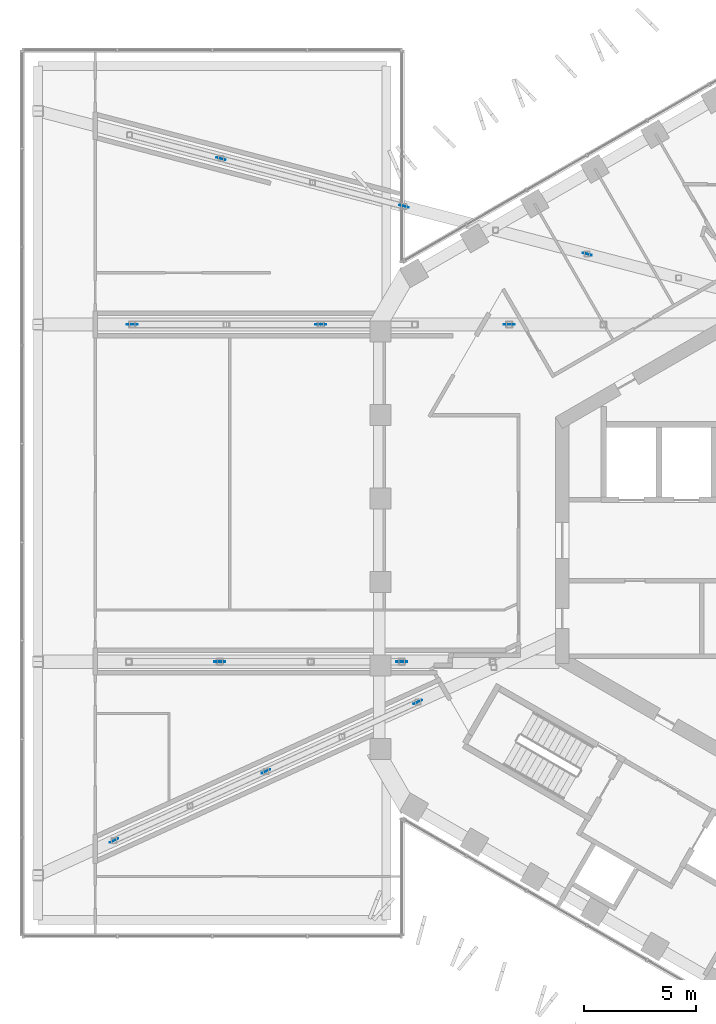
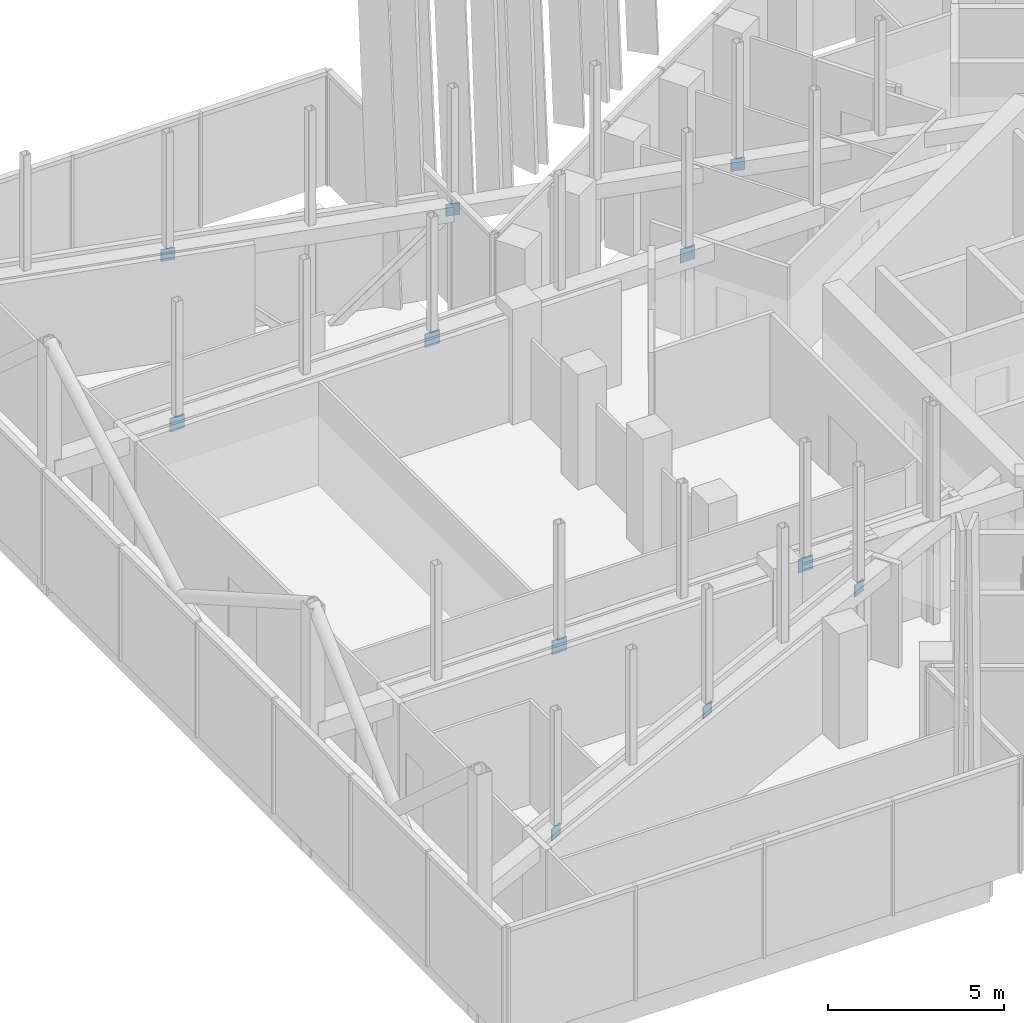
# One storey, part 23 of 28: 11 discrete accessories.
"""IFC4 building model written with IfcOpenShell, lengths in metres."""

from ifc_helpers import new_model, si_unit, direction, frame, origin, origin_2d, place, context, subcontext, project, spatial, rectangle, extrude, material, layer, layer_set, type_object, element, save


model = new_model("IFC4")

# Units and contexts
model_context = context("Model", 3, precision=1e-05, world=origin(), true_north=direction((0.0, 1.0)))
body_context = subcontext(model_context, "Body", "Model", "MODEL_VIEW")
ifc_project = project(units=[si_unit("LENGTHUNIT", "METRE"), si_unit("AREAUNIT", "SQUARE_METRE"), si_unit("VOLUMEUNIT", "CUBIC_METRE"), si_unit("PLANEANGLEUNIT", "RADIAN"), si_unit("MASSUNIT", "GRAM", prefix="KILO")], contexts=[model_context])

# Site, building, storey
site_placement = place(None, origin())
site = spatial("IfcSite", under=ifc_project, at=site_placement, CompositionType="ELEMENT")
building_placement = place(site_placement, origin())
building = spatial("IfcBuilding", under=site, at=building_placement, Name="Ayvan Gate Tower", CompositionType="ELEMENT")
storey_placement = place(building_placement, frame((0.0, 0.0, 202.10009765625)))
storey = spatial("IfcBuildingStorey", under=building, at=storey_placement, Name="L54", CompositionType="ELEMENT", Elevation=202.10009765625)

# Discrete accessories
ifc_material = material(Name="Steel S460ML", Category="steel")
ifc_layer = layer(ifc_material, 0.030029296875)
ifc_layer_set = layer_set([ifc_layer], Name="Steel S460ML")
discrete_accessory_type = type_object("IfcDiscreteAccessoryType", Name="Gusset plate 30 mm", PredefinedType="BRACKET", material=ifc_layer_set)
for number, where, z_axis, x_axis, name in (
    (1, (-8.095703125, 12.734130859375, 3.091796875), (0.0, 0.0, 1.0), (-0.967682328412, 0.252172384053, 0.0), "Gusset plate SBT5-1-D-2"),
    (2, (-16.238525390625, 14.85595703125, 3.091796875), (0.0, 0.0, 1.0), (-0.967682328412, 0.252172384053, 0.0), "Gusset plate SBT5-1-D-4"),
    (3, (-24.38134765625, 16.97802734375, 3.091796875), (0.0, 0.0, 1.0), (-0.967682328412, 0.252172384053, 0.0), "Gusset plate SBT5-1-D-6"),
):
    element("IfcDiscreteAccessory", number, at=place(storey_placement, frame(where, z_axis=z_axis, x_axis=x_axis)), inside=storey, type_object=discrete_accessory_type, Name=name, PredefinedType="BRACKET", context=body_context, shape_type="SweptSolid", body=[
        extrude(rectangle(XDim=0.416015625, YDim=0.030029296875, at=origin_2d()), origin(), (0.0, 0.0, 1.0), 0.416015625),
    ])
for number, where, z_axis, x_axis, name in (
    (4, (-11.564208984375, 9.60009765625, 3.059814453125), (0.0, 0.0, 1.0), (1.0, 0.0, 0.0), "Gusset plate SBT5-2-D-2"),
    (5, (-19.9482421875, 9.60009765625, 3.059814453125), (0.0, 0.0, 1.0), (1.0, 0.0, 0.0), "Gusset plate SBT5-2-D-4"),
    (6, (-28.332275390625, 9.60009765625, 3.059814453125), (0.0, 0.0, 1.0), (1.0, 0.0, 0.0), "Gusset plate SBT5-2-D-6"),
    (7, (-16.344970703125, -5.39990234375, 3.059814453125), (0.0, 0.0, 1.0), (1.0, 0.0, 0.0), "Gusset plate SBT5-3-D-2"),
    (8, (-24.4345703125, -5.39990234375, 3.059814453125), (0.0, 0.0, 1.0), (1.0, 0.0, 0.0), "Gusset plate SBT5-3-D-4"),
):
    element("IfcDiscreteAccessory", number, at=place(storey_placement, frame(where, z_axis=z_axis, x_axis=x_axis)), inside=storey, type_object=discrete_accessory_type, Name=name, PredefinedType="BRACKET", context=body_context, shape_type="SweptSolid", body=[
        extrude(rectangle(XDim=0.47998046875, YDim=0.030029296875, at=origin_2d()), origin(), (0.0, 0.0, 1.0), 0.47998046875),
    ])
for number, where, z_axis, x_axis, name in (
    (9, (-15.62548828125, -7.193603515625, 3.091796875), (0.0, 0.0, 1.0), (0.909853397447, 0.414929867753, 0.0), "Gusset plate SBT5-4-D-2"),
    (10, (-22.385009765625, -10.276123046875, 3.091796875), (0.0, 0.0, 1.0), (0.909853397447, 0.414929867753, 0.0), "Gusset plate SBT5-4-D-4"),
    (11, (-29.14453125, -13.358642578125, 3.091796875), (0.0, 0.0, 1.0), (0.909853397447, 0.414929867753, 0.0), "Gusset plate SBT5-4-D-6"),
):
    element("IfcDiscreteAccessory", number, at=place(storey_placement, frame(where, z_axis=z_axis, x_axis=x_axis)), inside=storey, type_object=discrete_accessory_type, Name=name, PredefinedType="BRACKET", context=body_context, shape_type="SweptSolid", body=[
        extrude(rectangle(XDim=0.416015625, YDim=0.030029296875, at=origin_2d()), origin(), (0.0, 0.0, 1.0), 0.416015625),
    ])

save(model, "model.ifc")
